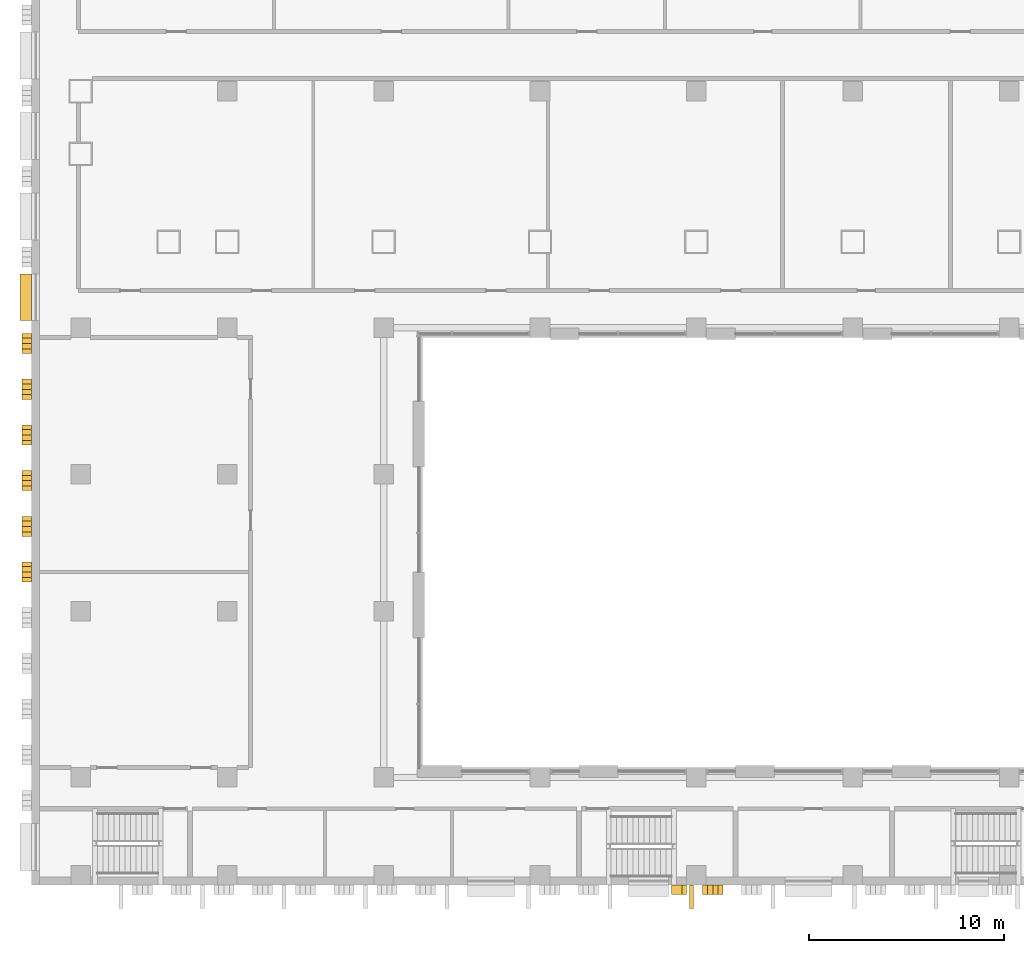
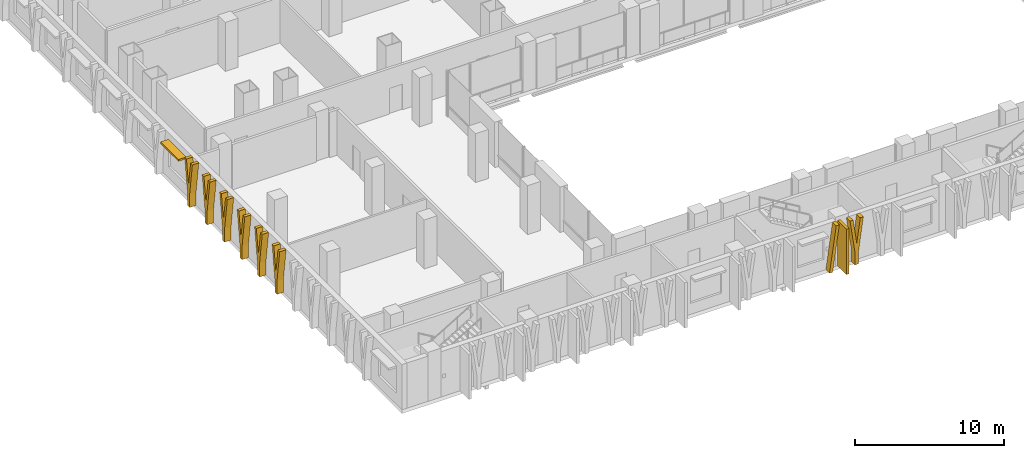
# One storey, part 19 of 25: 10 shading devices.
"""IFC4 building model written with IfcOpenShell, lengths in metres."""

from ifc_helpers import new_model, si_unit, direction, frame, frame_2d, origin, origin_2d, place, context, subcontext, project, spatial, polyline, rectangle, outline, extrude, material, layer, layer_set, type_object, element, save


model = new_model("IFC4")

# Units and contexts
model_context = context("Model", 3, precision=1e-05, world=origin(), true_north=direction((0.0, 1.0)))
body_context = subcontext(model_context, "Body", "Model", "MODEL_VIEW")
ifc_project = project(units=[si_unit("LENGTHUNIT", "METRE"), si_unit("AREAUNIT", "SQUARE_METRE"), si_unit("VOLUMEUNIT", "CUBIC_METRE"), si_unit("PLANEANGLEUNIT", "RADIAN"), si_unit("MASSUNIT", "GRAM", prefix="KILO")], contexts=[model_context])

# Site, building, storey
site_placement = place(None, origin())
site = spatial("IfcSite", under=ifc_project, at=site_placement, CompositionType="ELEMENT")
building_placement = place(site_placement, origin())
building = spatial("IfcBuilding", under=site, at=building_placement, Name="Vidyagriha Tower", CompositionType="ELEMENT")
storey_placement = place(building_placement, frame((0.0, 0.0, 14.0)))
storey = spatial("IfcBuildingStorey", under=building, at=storey_placement, Name="L03", CompositionType="ELEMENT", Elevation=14.0)

# Shading devices
ifc_material_1 = material(Name="Precast concrete C40/50 with brick facing", Category="concrete")
ifc_layer_1 = layer(ifc_material_1, 0.14990234375)
ifc_layer_set_1 = layer_set([ifc_layer_1], Name="Precast concrete C40/50 with brick facing")
shading_device_type_1 = type_object("IfcShadingDeviceType", Name="Brick chhajja window hood", PredefinedType="AWNING", material=ifc_layer_set_1)
shading_device_1_placement = place(storey_placement, frame((-40.300048828125, -19.9375, 3.0), z_axis=(0.0, 0.0, 1.0), x_axis=(0.0, -1.0, 0.0)))
element("IfcShadingDevice", 1, at=shading_device_1_placement, inside=storey, type_object=shading_device_type_1, Name="Window hood L03 R05.10", PredefinedType="AWNING", context=body_context, shape_type="SweptSolid", body=[
    extrude(rectangle(XDim=2.39990234375, YDim=0.60009765625, at=origin_2d()), origin(), (0.0, 0.0, 1.0), 0.14990234375),
])
ifc_material_2 = material(Name="Precast concrete C40/50 with buff brick facing", Category="concrete")
ifc_layer_2 = layer(ifc_material_2, 0.300048828125)
ifc_layer_set_2 = layer_set([ifc_layer_2], Name="Precast concrete C40/50 with buff brick facing")
shading_device_type_2 = type_object("IfcShadingDeviceType", Name="Brick-faced podium blade forking 8 degrees", PredefinedType="USERDEFINED", material=ifc_layer_set_2)
for number, where, z_axis, x_axis, name in (
    (2, (-40.25, -21.790771484375, 0.0), (0.0, 0.0, 1.0), (0.0, -1.0, 0.0), "Podium blade L03 R05.4231"),
    (3, (-40.25, -24.12841796875, 0.0), (0.0, 0.0, 1.0), (0.0, -1.0, 0.0), "Podium blade L03 R05.4464"),
    (4, (-40.25, -26.4658203125, 0.0), (0.0, 0.0, 1.0), (0.0, -1.0, 0.0), "Podium blade L03 R05.4698"),
    (5, (-40.25, -28.80322265625, 0.0), (0.0, 0.0, 1.0), (0.0, -1.0, 0.0), "Podium blade L03 R05.4932"),
    (6, (-40.25, -31.140869140625, 0.0), (0.0, 0.0, 1.0), (0.0, -1.0, 0.0), "Podium blade L03 R05.5166"),
    (7, (-40.25, -33.478271484375, 0.0), (0.0, 0.0, 1.0), (0.0, -1.0, 0.0), "Podium blade L03 R05.5399"),
):
    element("IfcShadingDevice", number, at=place(storey_placement, frame(where, z_axis=z_axis, x_axis=x_axis)), inside=storey, type_object=shading_device_type_2, Name=name, ObjectType="BLADE FIN", PredefinedType="USERDEFINED", context=body_context, shape_type="SweptSolid", body=[
        extrude(outline(polyline([(0.665283203125, 0.0), (0.665283203125, 1.10009765625), (1.03076171875, 3.699951171875), (0.790771484375, 3.699951171875), (0.515380859375, 1.740478515625), (0.239990234375, 3.699951171875), (0.0, 3.699951171875), (0.365478515625, 1.10009765625), (0.365478515625, 0.0), (0.665283203125, 0.0)])), frame((0.0, 0.25, 0.0), z_axis=(0.0, -1.0, 0.0), x_axis=(1.0, 0.0, 0.0)), (0.0, 0.0, 1.0), 0.5),
    ])
shading_device_2_placement = place(storey_placement, frame((-5.67578125, -50.25, 0.0)))
element("IfcShadingDevice", 8, at=shading_device_2_placement, inside=storey, type_object=shading_device_type_2, Name="Podium blade L03 R06.3444", ObjectType="BLADE FIN", PredefinedType="USERDEFINED", context=body_context, shape_type="SweptSolid", body=[
    extrude(outline(polyline([(0.665283203125, 0.0), (0.665283203125, 1.10009765625), (1.03076171875, 3.699951171875), (0.790771484375, 3.699951171875), (0.515380859375, 1.740478515625), (0.239990234375, 3.699951171875), (0.0, 3.699951171875), (0.365478515625, 1.10009765625), (0.365478515625, 0.0), (0.665283203125, 0.0)])), frame((0.0, 0.25, 0.0), z_axis=(0.0, -1.0, 0.0), x_axis=(1.0, 0.0, 0.0)), (0.0, 0.0, 1.0), 0.5),
])
ifc_material_3 = material(Name="Precast concrete C40/50 with buff brick facing", Category="concrete")
ifc_layer_3 = layer(ifc_material_3, 0.239990234375)
ifc_layer_set_3 = layer_set([ifc_layer_3], Name="Precast concrete C40/50 with buff brick facing")
shading_device_type_3 = type_object("IfcShadingDeviceType", Name="Brick-faced podium blade leaning 8 degrees", PredefinedType="USERDEFINED", material=ifc_layer_set_3)
shading_device_3_placement = place(storey_placement, frame((-7.263916015625, -50.25, 0.0)))
element("IfcShadingDevice", 9, at=shading_device_3_placement, inside=storey, type_object=shading_device_type_3, Name="Podium blade L03 R06.3272", ObjectType="BLADE FIN", PredefinedType="USERDEFINED", context=body_context, shape_type="SweptSolid", body=[
    extrude(outline(polyline([(0.0, 0.0), (0.239990234375, 0.0), (0.760009765625, 3.699951171875), (0.52001953125, 3.699951171875), (0.0, 0.0)])), frame((0.0, 0.25, 0.0), z_axis=(0.0, -1.0, 0.0), x_axis=(1.0, 0.0, 0.0)), (0.0, 0.0, 1.0), 0.5),
])
ifc_material_4 = material(Name="Precast concrete C40/50 with brick facing", Category="concrete")
ifc_layer_4 = layer(ifc_material_4, 0.199951171875)
ifc_layer_set_4 = layer_set([ifc_layer_4], Name="Precast concrete C40/50 with brick facing")
shading_device_type_4 = type_object("IfcShadingDeviceType", Name="Brick-faced solar fin 1200", PredefinedType="USERDEFINED", material=ifc_layer_set_4)
shading_device_4_placement = place(storey_placement, frame((-6.252685546875, -50.0, 0.0), z_axis=(0.0, 0.0, 1.0), x_axis=(0.0, -1.0, 0.0)))
element("IfcShadingDevice", 10, at=shading_device_4_placement, inside=storey, type_object=shading_device_type_4, Name="Solar fin L03 R06.8", ObjectType="SOLAR FIN", PredefinedType="USERDEFINED", context=body_context, shape_type="SweptSolid", body=[
    extrude(rectangle(XDim=1.199951171875, YDim=0.199951171875, at=frame_2d((0.60009765625, 0.0))), origin(), (0.0, 0.0, 1.0), 3.699951171875),
])

save(model, "model.ifc")
